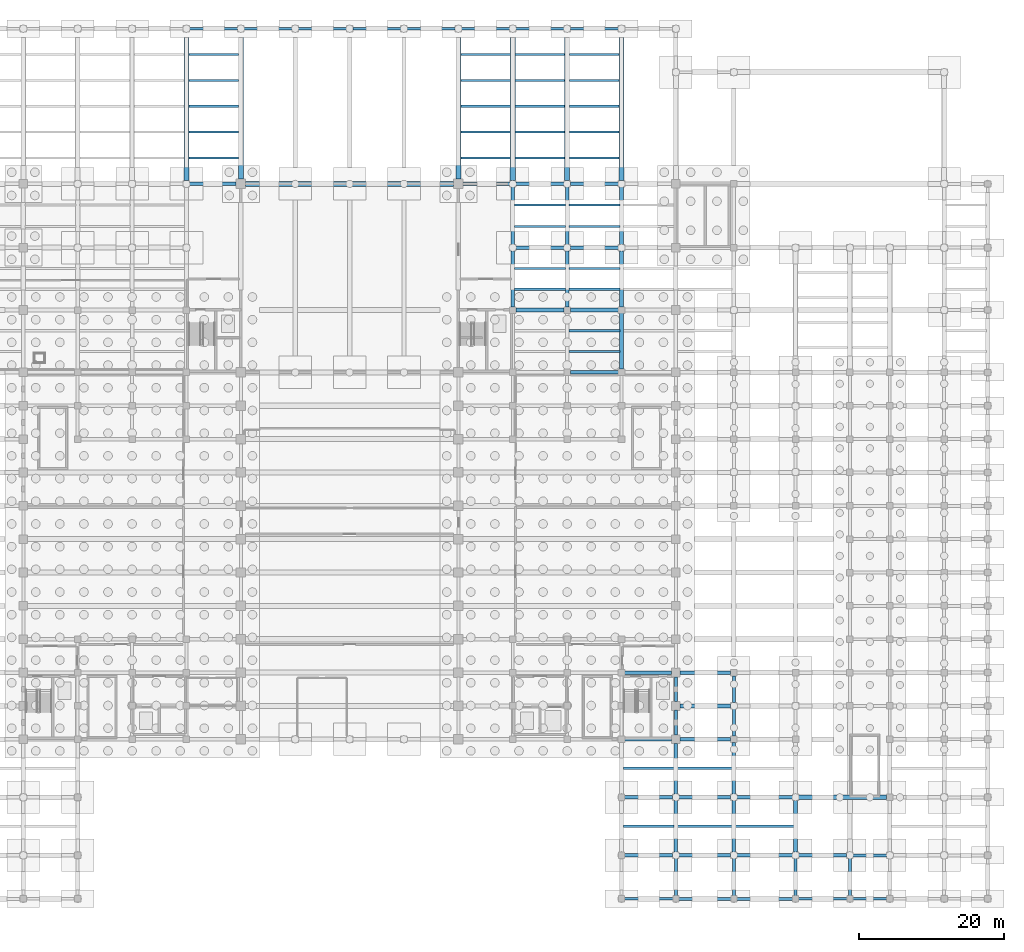
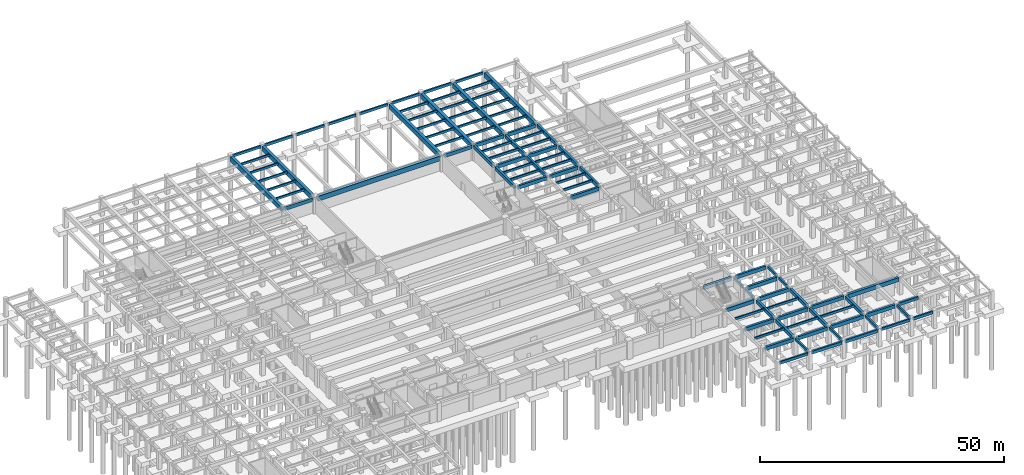
# One storey, part 17 of 32: 98 beams.
"""IFC4 building model written with IfcOpenShell, lengths in metres."""

from ifc_helpers import new_model, si_unit, direction, frame, origin, origin_2d, place, context, subcontext, project, spatial, rectangle, extrude, material, material_profile, profile_set, type_object, element, save


model = new_model("IFC4")

# Units and contexts
model_context = context("Model", 3, precision=1e-05, world=origin(), true_north=direction((0.0, 1.0)))
body_context = subcontext(model_context, "Body", "Model", "MODEL_VIEW")
ifc_project = project(units=[si_unit("LENGTHUNIT", "METRE"), si_unit("AREAUNIT", "SQUARE_METRE"), si_unit("VOLUMEUNIT", "CUBIC_METRE"), si_unit("PLANEANGLEUNIT", "RADIAN"), si_unit("MASSUNIT", "GRAM", prefix="KILO")], contexts=[model_context])

# Site, building, storey
site_placement = place(None, origin())
site = spatial("IfcSite", under=ifc_project, at=site_placement, CompositionType="ELEMENT")
building_placement = place(site_placement, origin())
building = spatial("IfcBuilding", under=site, at=building_placement, Name="Muzn Square Opera House", CompositionType="ELEMENT")
storey_placement = place(building_placement, frame((0.0, 0.0, -4.199951171875)))
storey = spatial("IfcBuildingStorey", under=building, at=storey_placement, Name="B1", CompositionType="ELEMENT", Elevation=-4.199951171875)

# Beams
ifc_material = material(Name="Concrete C40/50", Category="concrete")
ifc_material_profile_1 = material_profile(ifc_material, rectangle(XDim=0.300048828125, YDim=0.550048828125, at=origin_2d()), Name="RCJ 300x550", Category="concrete")
ifc_profile_set_1 = profile_set([ifc_material_profile_1], Name="Concrete C40/50")
beam_type_1 = type_object("IfcBeamType", Name="Floor Joist 300x550", PredefinedType="JOIST", material=ifc_profile_set_1)
for number, where, z_axis, x_axis, name in (
    (1, (65.842041015625, 102.166748046875, 3.56494140625), (1.0, 0.0, 0.0), (0.0, 1.0, 0.0), "Floor Joist BM-B1-BM-J550-658_1022_727_1022-654"),
    (2, (65.842041015625, 105.7333984375, 3.56494140625), (1.0, 0.0, 0.0), (0.0, 1.0, 0.0), "Floor Joist BM-B1-BM-J550-658_1057_727_1057-655"),
    (3, (65.842041015625, 109.300048828125, 3.56494140625), (1.0, 0.0, 0.0), (0.0, 1.0, 0.0), "Floor Joist BM-B1-BM-J550-658_1093_727_1093-656"),
    (4, (65.842041015625, 112.86669921875, 3.56494140625), (1.0, 0.0, 0.0), (0.0, 1.0, 0.0), "Floor Joist BM-B1-BM-J550-658_1129_727_1129-657"),
    (5, (65.842041015625, 116.433349609375, 3.56494140625), (1.0, 0.0, 0.0), (0.0, 1.0, 0.0), "Floor Joist BM-B1-BM-J550-658_1164_727_1164-658"),
    (6, (103.342041015625, 102.166748046875, 3.56494140625), (1.0, 0.0, 0.0), (0.0, 1.0, 0.0), "Floor Joist BM-B1-BM-J550-1033_1022_1102_1022-659"),
    (7, (103.342041015625, 105.7333984375, 3.56494140625), (1.0, 0.0, 0.0), (0.0, 1.0, 0.0), "Floor Joist BM-B1-BM-J550-1033_1057_1102_1057-660"),
    (8, (103.342041015625, 109.300048828125, 3.56494140625), (1.0, 0.0, 0.0), (0.0, 1.0, 0.0), "Floor Joist BM-B1-BM-J550-1033_1093_1102_1093-661"),
    (9, (103.342041015625, 112.86669921875, 3.56494140625), (1.0, 0.0, 0.0), (0.0, 1.0, 0.0), "Floor Joist BM-B1-BM-J550-1033_1129_1102_1129-662"),
    (10, (103.342041015625, 116.433349609375, 3.56494140625), (1.0, 0.0, 0.0), (0.0, 1.0, 0.0), "Floor Joist BM-B1-BM-J550-1033_1164_1102_1164-663"),
):
    element("IfcBeam", number, at=place(storey_placement, frame(where, z_axis=z_axis, x_axis=x_axis)), inside=storey, type_object=beam_type_1, Name=name, PredefinedType="JOIST", context=body_context, shape_type="SweptSolid", body=[
        extrude(rectangle(XDim=0.300048828125, YDim=0.550048828125, at=origin_2d()), origin(), (0.0, 0.0, 1.0), 6.81591796875),
    ])
for number, where, z_axis, x_axis, name in (
    (11, (110.741943359375, 84.066650390625, 3.60498046875), (1.0, 0.0, 0.0), (0.0, 1.0, 0.0), "Floor Joist BM-B1-BM-J550-1107_841_1178_841-666"),
    (12, (110.741943359375, 86.933349609375, 3.60498046875), (1.0, 0.0, 0.0), (0.0, 1.0, 0.0), "Floor Joist BM-B1-BM-J550-1107_869_1178_869-667"),
    (13, (110.741943359375, 92.7333984375, 3.60498046875), (1.0, 0.0, 0.0), (0.0, 1.0, 0.0), "Floor Joist BM-B1-BM-J550-1107_927_1178_927-668"),
    (14, (110.741943359375, 95.666748046875, 3.60498046875), (1.0, 0.0, 0.0), (0.0, 1.0, 0.0), "Floor Joist BM-B1-BM-J550-1107_957_1178_957-669"),
):
    element("IfcBeam", number, at=place(storey_placement, frame(where, z_axis=z_axis, x_axis=x_axis)), inside=storey, type_object=beam_type_1, Name=name, PredefinedType="JOIST", context=body_context, shape_type="SweptSolid", body=[
        extrude(rectangle(XDim=0.300048828125, YDim=0.550048828125, at=origin_2d()), origin(), (0.0, 0.0, 1.0), 7.01611328125),
    ])
for number, where, z_axis, x_axis, name in (
    (15, (110.842041015625, 102.166748046875, 3.56494140625), (1.0, 0.0, 0.0), (0.0, 1.0, 0.0), "Floor Joist BM-B1-BM-J550-1108_1022_1177_1022-670"),
    (16, (110.842041015625, 105.7333984375, 3.56494140625), (1.0, 0.0, 0.0), (0.0, 1.0, 0.0), "Floor Joist BM-B1-BM-J550-1108_1057_1177_1057-671"),
    (17, (110.842041015625, 109.300048828125, 3.56494140625), (1.0, 0.0, 0.0), (0.0, 1.0, 0.0), "Floor Joist BM-B1-BM-J550-1108_1093_1177_1093-672"),
    (18, (110.842041015625, 112.86669921875, 3.56494140625), (1.0, 0.0, 0.0), (0.0, 1.0, 0.0), "Floor Joist BM-B1-BM-J550-1108_1129_1177_1129-673"),
    (19, (110.842041015625, 116.433349609375, 3.56494140625), (1.0, 0.0, 0.0), (0.0, 1.0, 0.0), "Floor Joist BM-B1-BM-J550-1108_1164_1177_1164-674"),
):
    element("IfcBeam", number, at=place(storey_placement, frame(where, z_axis=z_axis, x_axis=x_axis)), inside=storey, type_object=beam_type_1, Name=name, PredefinedType="JOIST", context=body_context, shape_type="SweptSolid", body=[
        extrude(rectangle(XDim=0.300048828125, YDim=0.550048828125, at=origin_2d()), origin(), (0.0, 0.0, 1.0), 6.81591796875),
    ])
for number, where, z_axis, x_axis, name in (
    (20, (118.241943359375, 75.466796875, 3.60498046875), (1.0, 0.0, 0.0), (0.0, 1.0, 0.0), "Floor Joist BM-B1-BM-J550-1182_755_1253_755-675"),
    (21, (118.241943359375, 78.333251953125, 3.60498046875), (1.0, 0.0, 0.0), (0.0, 1.0, 0.0), "Floor Joist BM-B1-BM-J550-1182_783_1253_783-676"),
    (22, (118.241943359375, 84.066650390625, 3.60498046875), (1.0, 0.0, 0.0), (0.0, 1.0, 0.0), "Floor Joist BM-B1-BM-J550-1182_841_1253_841-677"),
    (23, (118.241943359375, 86.933349609375, 3.60498046875), (1.0, 0.0, 0.0), (0.0, 1.0, 0.0), "Floor Joist BM-B1-BM-J550-1182_869_1253_869-678"),
    (24, (118.241943359375, 92.7333984375, 3.60498046875), (1.0, 0.0, 0.0), (0.0, 1.0, 0.0), "Floor Joist BM-B1-BM-J550-1182_927_1253_927-679"),
    (25, (118.241943359375, 95.666748046875, 3.60498046875), (1.0, 0.0, 0.0), (0.0, 1.0, 0.0), "Floor Joist BM-B1-BM-J550-1182_957_1253_957-680"),
):
    element("IfcBeam", number, at=place(storey_placement, frame(where, z_axis=z_axis, x_axis=x_axis)), inside=storey, type_object=beam_type_1, Name=name, PredefinedType="JOIST", context=body_context, shape_type="SweptSolid", body=[
        extrude(rectangle(XDim=0.300048828125, YDim=0.550048828125, at=origin_2d()), origin(), (0.0, 0.0, 1.0), 7.01611328125),
    ])
for number, where, z_axis, x_axis, name in (
    (26, (118.342041015625, 102.166748046875, 3.56494140625), (1.0, 0.0, 0.0), (0.0, 1.0, 0.0), "Floor Joist BM-B1-BM-J550-1183_1022_1252_1022-681"),
    (27, (118.342041015625, 105.7333984375, 3.56494140625), (1.0, 0.0, 0.0), (0.0, 1.0, 0.0), "Floor Joist BM-B1-BM-J550-1183_1057_1252_1057-682"),
    (28, (118.342041015625, 109.300048828125, 3.56494140625), (1.0, 0.0, 0.0), (0.0, 1.0, 0.0), "Floor Joist BM-B1-BM-J550-1183_1093_1252_1093-683"),
    (29, (118.342041015625, 112.86669921875, 3.56494140625), (1.0, 0.0, 0.0), (0.0, 1.0, 0.0), "Floor Joist BM-B1-BM-J550-1183_1129_1252_1129-684"),
    (30, (118.342041015625, 116.433349609375, 3.56494140625), (1.0, 0.0, 0.0), (0.0, 1.0, 0.0), "Floor Joist BM-B1-BM-J550-1183_1164_1252_1164-685"),
):
    element("IfcBeam", number, at=place(storey_placement, frame(where, z_axis=z_axis, x_axis=x_axis)), inside=storey, type_object=beam_type_1, Name=name, PredefinedType="JOIST", context=body_context, shape_type="SweptSolid", body=[
        extrude(rectangle(XDim=0.300048828125, YDim=0.550048828125, at=origin_2d()), origin(), (0.0, 0.0, 1.0), 6.81591796875),
    ])
for number, where, z_axis, x_axis, name in (
    (31, (125.741943359375, 10.0, 3.6650390625), (1.0, 0.0, 0.0), (0.0, 1.0, 0.0), "Floor Joist BM-B1-BM-J550-1257_100_1328_100-686"),
    (32, (125.741943359375, 18.0, 3.6650390625), (1.0, 0.0, 0.0), (0.0, 1.0, 0.0), "Floor Joist BM-B1-BM-J550-1257_180_1328_180-687"),
):
    element("IfcBeam", number, at=place(storey_placement, frame(where, z_axis=z_axis, x_axis=x_axis)), inside=storey, type_object=beam_type_1, Name=name, PredefinedType="JOIST", context=body_context, shape_type="SweptSolid", body=[
        extrude(rectangle(XDim=0.300048828125, YDim=0.550048828125, at=origin_2d()), origin(), (0.0, 0.0, 1.0), 7.01611328125),
    ])
for number, where, z_axis, x_axis, name in (
    (33, (133.241943359375, 10.0, 3.60498046875), (1.0, 0.0, 0.0), (0.0, 1.0, 0.0), "Floor Joist BM-B1-BM-J550-1332_100_1408_100-694"),
    (34, (133.241943359375, 18.0, 3.60498046875), (1.0, 0.0, 0.0), (0.0, 1.0, 0.0), "Floor Joist BM-B1-BM-J550-1332_180_1408_180-695"),
):
    element("IfcBeam", number, at=place(storey_placement, frame(where, z_axis=z_axis, x_axis=x_axis)), inside=storey, type_object=beam_type_1, Name=name, PredefinedType="JOIST", context=body_context, shape_type="SweptSolid", body=[
        extrude(rectangle(XDim=0.300048828125, YDim=0.550048828125, at=origin_2d()), origin(), (0.0, 0.0, 1.0), 7.51611328125),
    ])
beam_1_placement = place(storey_placement, frame((141.241943359375, 10.0, 3.60498046875), z_axis=(1.0, 0.0, 0.0), x_axis=(0.0, 1.0, 0.0)))
element("IfcBeam", 35, at=beam_1_placement, inside=storey, type_object=beam_type_1, Name="Floor Joist BM-B1-BM-J550-1412_100_1493_100-700", PredefinedType="JOIST", context=body_context, shape_type="SweptSolid", body=[
    extrude(rectangle(XDim=0.300048828125, YDim=0.550048828125, at=origin_2d()), origin(), (0.0, 0.0, 1.0), 8.01611328125),
])
ifc_material_profile_2 = material_profile(ifc_material, rectangle(XDim=0.39990234375, YDim=0.699951171875, at=origin_2d()), Name="RCB 400x700", Category="concrete")
ifc_profile_set_2 = profile_set([ifc_material_profile_2], Name="Concrete C40/50")
beam_type_2 = type_object("IfcBeamType", Name="Primary Girder 400x700", PredefinedType="BEAM", material=ifc_profile_set_2)
beam_2_placement = place(storey_placement, frame((157.44189453125, 6.0, 3.530029296875), z_axis=(1.0, 0.0, 0.0), x_axis=(0.0, 1.0, 0.0)))
element("IfcBeam", 36, at=beam_2_placement, inside=storey, type_object=beam_type_2, Name="Primary Girder BM-B1-BM-PG700-1574_60_1621_60-26", PredefinedType="BEAM", context=body_context, shape_type="SweptSolid", body=[
    extrude(rectangle(XDim=0.39990234375, YDim=0.699951171875, at=origin_2d()), origin(), (0.0, 0.0, 1.0), 4.6162109375),
])
beam_3_placement = place(storey_placement, frame((133.0, 0.4169921875, 3.58984375), z_axis=(0.0, 1.0, 0.0), x_axis=(-1.0, 0.0, 0.0)))
element("IfcBeam", 37, at=beam_3_placement, inside=storey, type_object=beam_type_2, Name="Primary Girder BM-B1-BM-PG700-1330_4_1330_56-478", PredefinedType="BEAM", context=body_context, shape_type="SweptSolid", body=[
    extrude(rectangle(XDim=0.39990234375, YDim=0.699951171875, at=origin_2d()), origin(), (0.0, 0.0, 1.0), 5.14111328125),
])
for number, where, z_axis, x_axis, name in (
    (38, (133.0, 22.592041015625, 3.530029296875), (0.0, 1.0, 0.0), (-1.0, 0.0, 0.0), "Primary Girder BM-B1-BM-PG700-1330_226_1330_260-481"),
    (39, (133.0, 27.19189453125, 3.530029296875), (0.0, 1.0, 0.0), (-1.0, 0.0, 0.0), "Primary Girder BM-B1-BM-PG700-1330_272_1330_306-482"),
):
    element("IfcBeam", number, at=place(storey_placement, frame(where, z_axis=z_axis, x_axis=x_axis)), inside=storey, type_object=beam_type_2, Name=name, PredefinedType="BEAM", context=body_context, shape_type="SweptSolid", body=[
        extrude(rectangle(XDim=0.39990234375, YDim=0.699951171875, at=origin_2d()), origin(), (0.0, 0.0, 1.0), 3.416015625),
    ])
beam_4_placement = place(storey_placement, frame((141.0, 0.4169921875, 3.58984375), z_axis=(0.0, 1.0, 0.0), x_axis=(-1.0, 0.0, 0.0)))
element("IfcBeam", 40, at=beam_4_placement, inside=storey, type_object=beam_type_2, Name="Primary Girder BM-B1-BM-PG700-1410_4_1410_56-495", PredefinedType="BEAM", context=body_context, shape_type="SweptSolid", body=[
    extrude(rectangle(XDim=0.39990234375, YDim=0.699951171875, at=origin_2d()), origin(), (0.0, 0.0, 1.0), 5.14111328125),
])
for number, where, z_axis, x_axis, name in (
    (41, (141.0, 22.44189453125, 3.530029296875), (0.0, 1.0, 0.0), (-1.0, 0.0, 0.0), "Primary Girder BM-B1-BM-PG700-1410_224_1410_262-498"),
    (42, (141.0, 27.0419921875, 3.530029296875), (0.0, 1.0, 0.0), (-1.0, 0.0, 0.0), "Primary Girder BM-B1-BM-PG700-1410_270_1410_308-499"),
):
    element("IfcBeam", number, at=place(storey_placement, frame(where, z_axis=z_axis, x_axis=x_axis)), inside=storey, type_object=beam_type_2, Name=name, PredefinedType="BEAM", context=body_context, shape_type="SweptSolid", body=[
        extrude(rectangle(XDim=0.39990234375, YDim=0.699951171875, at=origin_2d()), origin(), (0.0, 0.0, 1.0), 3.716064453125),
    ])
for number, where, z_axis, x_axis, name in (
    (43, (149.5, 0.4169921875, 3.58984375), (0.0, 1.0, 0.0), (-1.0, 0.0, 0.0), "Primary Girder BM-B1-BM-PG700-1495_4_1495_56-507"),
    (44, (157.0, 0.4169921875, 3.58984375), (0.0, 1.0, 0.0), (-1.0, 0.0, 0.0), "Primary Girder BM-B1-BM-PG700-1570_4_1570_56-517"),
):
    element("IfcBeam", number, at=place(storey_placement, frame(where, z_axis=z_axis, x_axis=x_axis)), inside=storey, type_object=beam_type_2, Name=name, PredefinedType="BEAM", context=body_context, shape_type="SweptSolid", body=[
        extrude(rectangle(XDim=0.39990234375, YDim=0.699951171875, at=origin_2d()), origin(), (0.0, 0.0, 1.0), 5.14111328125),
    ])
ifc_material_profile_3 = material_profile(ifc_material, rectangle(XDim=0.5, YDim=0.89990234375, at=origin_2d()), Name="RCB 500x900", Category="concrete")
ifc_profile_set_3 = profile_set([ifc_material_profile_3], Name="Concrete C40/50")
beam_type_3 = type_object("IfcBeamType", Name="Primary Girder 500x900", PredefinedType="BEAM", material=ifc_profile_set_3)
beam_5_placement = place(storey_placement, frame((125.9169921875, 6.0, 3.489990234375), z_axis=(1.0, 0.0, 0.0), x_axis=(0.0, 1.0, 0.0)))
element("IfcBeam", 45, at=beam_5_placement, inside=storey, type_object=beam_type_3, Name="Primary Girder BM-B1-BM-PG900-1259_60_1326_60-22", PredefinedType="BEAM", context=body_context, shape_type="SweptSolid", body=[
    extrude(rectangle(XDim=0.5, YDim=0.89990234375, at=origin_2d()), origin(), (0.0, 0.0, 1.0), 6.64111328125),
])
beam_6_placement = place(storey_placement, frame((133.44189453125, 6.0, 3.429931640625), z_axis=(1.0, 0.0, 0.0), x_axis=(0.0, 1.0, 0.0)))
element("IfcBeam", 46, at=beam_6_placement, inside=storey, type_object=beam_type_3, Name="Primary Girder BM-B1-BM-PG900-1334_60_1406_60-23", PredefinedType="BEAM", context=body_context, shape_type="SweptSolid", body=[
    extrude(rectangle(XDim=0.5, YDim=0.89990234375, at=origin_2d()), origin(), (0.0, 0.0, 1.0), 7.1162109375),
])
beam_7_placement = place(storey_placement, frame((141.44189453125, 6.0, 3.429931640625), z_axis=(1.0, 0.0, 0.0), x_axis=(0.0, 1.0, 0.0)))
element("IfcBeam", 47, at=beam_7_placement, inside=storey, type_object=beam_type_3, Name="Primary Girder BM-B1-BM-PG900-1414_60_1491_60-24", PredefinedType="BEAM", context=body_context, shape_type="SweptSolid", body=[
    extrude(rectangle(XDim=0.5, YDim=0.89990234375, at=origin_2d()), origin(), (0.0, 0.0, 1.0), 7.6162109375),
])
beam_8_placement = place(storey_placement, frame((149.94189453125, 6.0, 3.429931640625), z_axis=(1.0, 0.0, 0.0), x_axis=(0.0, 1.0, 0.0)))
element("IfcBeam", 48, at=beam_8_placement, inside=storey, type_object=beam_type_3, Name="Primary Girder BM-B1-BM-PG900-1499_60_1566_60-25", PredefinedType="BEAM", context=body_context, shape_type="SweptSolid", body=[
    extrude(rectangle(XDim=0.5, YDim=0.89990234375, at=origin_2d()), origin(), (0.0, 0.0, 1.0), 6.6162109375),
])
beam_9_placement = place(storey_placement, frame((125.9169921875, 14.0, 3.489990234375), z_axis=(1.0, 0.0, 0.0), x_axis=(0.0, 1.0, 0.0)))
element("IfcBeam", 49, at=beam_9_placement, inside=storey, type_object=beam_type_3, Name="Primary Girder BM-B1-BM-PG900-1259_140_1326_140-35", PredefinedType="BEAM", context=body_context, shape_type="SweptSolid", body=[
    extrude(rectangle(XDim=0.5, YDim=0.89990234375, at=origin_2d()), origin(), (0.0, 0.0, 1.0), 6.64111328125),
])
beam_10_placement = place(storey_placement, frame((133.44189453125, 14.0, 3.429931640625), z_axis=(1.0, 0.0, 0.0), x_axis=(0.0, 1.0, 0.0)))
element("IfcBeam", 50, at=beam_10_placement, inside=storey, type_object=beam_type_3, Name="Primary Girder BM-B1-BM-PG900-1334_140_1406_140-36", PredefinedType="BEAM", context=body_context, shape_type="SweptSolid", body=[
    extrude(rectangle(XDim=0.5, YDim=0.89990234375, at=origin_2d()), origin(), (0.0, 0.0, 1.0), 7.1162109375),
])
beam_11_placement = place(storey_placement, frame((141.44189453125, 14.0, 3.429931640625), z_axis=(1.0, 0.0, 0.0), x_axis=(0.0, 1.0, 0.0)))
element("IfcBeam", 51, at=beam_11_placement, inside=storey, type_object=beam_type_3, Name="Primary Girder BM-B1-BM-PG900-1414_140_1491_140-37", PredefinedType="BEAM", context=body_context, shape_type="SweptSolid", body=[
    extrude(rectangle(XDim=0.5, YDim=0.89990234375, at=origin_2d()), origin(), (0.0, 0.0, 1.0), 7.6162109375),
])
beam_12_placement = place(storey_placement, frame((125.94189453125, 22.0, 3.429931640625), z_axis=(1.0, 0.0, 0.0), x_axis=(0.0, 1.0, 0.0)))
element("IfcBeam", 52, at=beam_12_placement, inside=storey, type_object=beam_type_3, Name="Primary Girder BM-B1-BM-PG900-1259_220_1324_220-56", PredefinedType="BEAM", context=body_context, shape_type="SweptSolid", body=[
    extrude(rectangle(XDim=0.5, YDim=0.89990234375, at=origin_2d()), origin(), (0.0, 0.0, 1.0), 6.466064453125),
])
for number, where, z_axis, x_axis, name in (
    (53, (133.592041015625, 22.0, 3.429931640625), (1.0, 0.0, 0.0), (0.0, 1.0, 0.0), "Primary Girder BM-B1-BM-PG900-1336_220_1406_220-57"),
    (54, (133.592041015625, 26.60009765625, 3.429931640625), (1.0, 0.0, 0.0), (0.0, 1.0, 0.0), "Primary Girder BM-B1-BM-PG900-1336_266_1406_266-72"),
):
    element("IfcBeam", number, at=place(storey_placement, frame(where, z_axis=z_axis, x_axis=x_axis)), inside=storey, type_object=beam_type_3, Name=name, PredefinedType="BEAM", context=body_context, shape_type="SweptSolid", body=[
        extrude(rectangle(XDim=0.5, YDim=0.89990234375, at=origin_2d()), origin(), (0.0, 0.0, 1.0), 6.966064453125),
    ])
beam_13_placement = place(storey_placement, frame((125.94189453125, 31.199951171875, 3.429931640625), z_axis=(1.0, 0.0, 0.0), x_axis=(0.0, 1.0, 0.0)))
element("IfcBeam", 55, at=beam_13_placement, inside=storey, type_object=beam_type_3, Name="Primary Girder BM-B1-BM-PG900-1259_312_1324_312-92", PredefinedType="BEAM", context=body_context, shape_type="SweptSolid", body=[
    extrude(rectangle(XDim=0.5, YDim=0.89990234375, at=origin_2d()), origin(), (0.0, 0.0, 1.0), 6.466064453125),
])
beam_14_placement = place(storey_placement, frame((133.592041015625, 31.199951171875, 3.429931640625), z_axis=(1.0, 0.0, 0.0), x_axis=(0.0, 1.0, 0.0)))
element("IfcBeam", 56, at=beam_14_placement, inside=storey, type_object=beam_type_3, Name="Primary Girder BM-B1-BM-PG900-1336_312_1406_312-93", PredefinedType="BEAM", context=body_context, shape_type="SweptSolid", body=[
    extrude(rectangle(XDim=0.5, YDim=0.89990234375, at=origin_2d()), origin(), (0.0, 0.0, 1.0), 6.966064453125),
])
for number, where, z_axis, x_axis, name in (
    (57, (118.44189453125, 72.60009765625, 3.429931640625), (1.0, 0.0, 0.0), (0.0, 1.0, 0.0), "Primary Girder BM-B1-BM-PG900-1184_726_1251_726-221"),
    (58, (110.94189453125, 81.199951171875, 3.429931640625), (1.0, 0.0, 0.0), (0.0, 1.0, 0.0), "Primary Girder BM-B1-BM-PG900-1109_812_1176_812-236"),
    (59, (118.44189453125, 81.199951171875, 3.429931640625), (1.0, 0.0, 0.0), (0.0, 1.0, 0.0), "Primary Girder BM-B1-BM-PG900-1184_812_1251_812-237"),
    (60, (110.94189453125, 89.800048828125, 3.429931640625), (1.0, 0.0, 0.0), (0.0, 1.0, 0.0), "Primary Girder BM-B1-BM-PG900-1109_898_1176_898-249"),
    (61, (118.44189453125, 89.800048828125, 3.429931640625), (1.0, 0.0, 0.0), (0.0, 1.0, 0.0), "Primary Girder BM-B1-BM-PG900-1184_898_1251_898-250"),
):
    element("IfcBeam", number, at=place(storey_placement, frame(where, z_axis=z_axis, x_axis=x_axis)), inside=storey, type_object=beam_type_3, Name=name, PredefinedType="BEAM", context=body_context, shape_type="SweptSolid", body=[
        extrude(rectangle(XDim=0.5, YDim=0.89990234375, at=origin_2d()), origin(), (0.0, 0.0, 1.0), 6.6162109375),
    ])
for number, where, z_axis, x_axis, name in (
    (62, (65.94189453125, 98.60009765625, 3.389892578125), (1.0, 0.0, 0.0), (0.0, 1.0, 0.0), "Primary Girder BM-B1-BM-PG900-659_986_724_986-265"),
    (63, (103.64208984375, 98.60009765625, 3.389892578125), (1.0, 0.0, 0.0), (0.0, 1.0, 0.0), "Primary Girder BM-B1-BM-PG900-1036_986_1101_986-267"),
):
    element("IfcBeam", number, at=place(storey_placement, frame(where, z_axis=z_axis, x_axis=x_axis)), inside=storey, type_object=beam_type_3, Name=name, PredefinedType="BEAM", context=body_context, shape_type="SweptSolid", body=[
        extrude(rectangle(XDim=0.5, YDim=0.89990234375, at=origin_2d()), origin(), (0.0, 0.0, 1.0), 6.416015625),
    ])
for number, where, z_axis, x_axis, name in (
    (64, (110.94189453125, 98.60009765625, 3.389892578125), (1.0, 0.0, 0.0), (0.0, 1.0, 0.0), "Primary Girder BM-B1-BM-PG900-1109_986_1176_986-268"),
    (65, (118.44189453125, 98.60009765625, 3.389892578125), (1.0, 0.0, 0.0), (0.0, 1.0, 0.0), "Primary Girder BM-B1-BM-PG900-1184_986_1251_986-269"),
):
    element("IfcBeam", number, at=place(storey_placement, frame(where, z_axis=z_axis, x_axis=x_axis)), inside=storey, type_object=beam_type_3, Name=name, PredefinedType="BEAM", context=body_context, shape_type="SweptSolid", body=[
        extrude(rectangle(XDim=0.5, YDim=0.89990234375, at=origin_2d()), origin(), (0.0, 0.0, 1.0), 6.6162109375),
    ])
beam_15_placement = place(storey_placement, frame((110.5, 81.64208984375, 3.429931640625), z_axis=(0.0, 1.0, 0.0), x_axis=(-1.0, 0.0, 0.0)))
element("IfcBeam", 66, at=beam_15_placement, inside=storey, type_object=beam_type_3, Name="Primary Girder BM-B1-BM-PG900-1105_816_1105_894-454", PredefinedType="BEAM", context=body_context, shape_type="SweptSolid", body=[
    extrude(rectangle(XDim=0.5, YDim=0.89990234375, at=origin_2d()), origin(), (0.0, 0.0, 1.0), 7.7158203125),
])
beam_16_placement = place(storey_placement, frame((110.5, 90.241943359375, 3.429931640625), z_axis=(0.0, 1.0, 0.0), x_axis=(-1.0, 0.0, 0.0)))
element("IfcBeam", 67, at=beam_16_placement, inside=storey, type_object=beam_type_3, Name="Primary Girder BM-B1-BM-PG900-1105_902_1105_982-455", PredefinedType="BEAM", context=body_context, shape_type="SweptSolid", body=[
    extrude(rectangle(XDim=0.5, YDim=0.89990234375, at=origin_2d()), origin(), (0.0, 0.0, 1.0), 7.916015625),
])
beam_17_placement = place(storey_placement, frame((118.0, 81.64208984375, 3.429931640625), z_axis=(0.0, 1.0, 0.0), x_axis=(-1.0, 0.0, 0.0)))
element("IfcBeam", 68, at=beam_17_placement, inside=storey, type_object=beam_type_3, Name="Primary Girder BM-B1-BM-PG900-1180_816_1180_894-463", PredefinedType="BEAM", context=body_context, shape_type="SweptSolid", body=[
    extrude(rectangle(XDim=0.5, YDim=0.89990234375, at=origin_2d()), origin(), (0.0, 0.0, 1.0), 7.7158203125),
])
beam_18_placement = place(storey_placement, frame((118.0, 90.241943359375, 3.429931640625), z_axis=(0.0, 1.0, 0.0), x_axis=(-1.0, 0.0, 0.0)))
element("IfcBeam", 69, at=beam_18_placement, inside=storey, type_object=beam_type_3, Name="Primary Girder BM-B1-BM-PG900-1180_902_1180_982-464", PredefinedType="BEAM", context=body_context, shape_type="SweptSolid", body=[
    extrude(rectangle(XDim=0.5, YDim=0.89990234375, at=origin_2d()), origin(), (0.0, 0.0, 1.0), 7.916015625),
])
beam_19_placement = place(storey_placement, frame((125.5, 73.0419921875, 3.429931640625), z_axis=(0.0, 1.0, 0.0), x_axis=(-1.0, 0.0, 0.0)))
element("IfcBeam", 70, at=beam_19_placement, inside=storey, type_object=beam_type_3, Name="Primary Girder BM-B1-BM-PG900-1255_730_1255_808-474", PredefinedType="BEAM", context=body_context, shape_type="SweptSolid", body=[
    extrude(rectangle(XDim=0.5, YDim=0.89990234375, at=origin_2d()), origin(), (0.0, 0.0, 1.0), 7.716064453125),
])
beam_20_placement = place(storey_placement, frame((125.5, 81.64208984375, 3.429931640625), z_axis=(0.0, 1.0, 0.0), x_axis=(-1.0, 0.0, 0.0)))
element("IfcBeam", 71, at=beam_20_placement, inside=storey, type_object=beam_type_3, Name="Primary Girder BM-B1-BM-PG900-1255_816_1255_894-475", PredefinedType="BEAM", context=body_context, shape_type="SweptSolid", body=[
    extrude(rectangle(XDim=0.5, YDim=0.89990234375, at=origin_2d()), origin(), (0.0, 0.0, 1.0), 7.7158203125),
])
beam_21_placement = place(storey_placement, frame((125.5, 90.241943359375, 3.429931640625), z_axis=(0.0, 1.0, 0.0), x_axis=(-1.0, 0.0, 0.0)))
element("IfcBeam", 72, at=beam_21_placement, inside=storey, type_object=beam_type_3, Name="Primary Girder BM-B1-BM-PG900-1255_902_1255_982-476", PredefinedType="BEAM", context=body_context, shape_type="SweptSolid", body=[
    extrude(rectangle(XDim=0.5, YDim=0.89990234375, at=origin_2d()), origin(), (0.0, 0.0, 1.0), 7.916015625),
])
beam_22_placement = place(storey_placement, frame((133.0, 6.44189453125, 3.429931640625), z_axis=(0.0, 1.0, 0.0), x_axis=(-1.0, 0.0, 0.0)))
element("IfcBeam", 73, at=beam_22_placement, inside=storey, type_object=beam_type_3, Name="Primary Girder BM-B1-BM-PG900-1330_64_1330_136-479", PredefinedType="BEAM", context=body_context, shape_type="SweptSolid", body=[
    extrude(rectangle(XDim=0.5, YDim=0.89990234375, at=origin_2d()), origin(), (0.0, 0.0, 1.0), 7.1162109375),
])
beam_23_placement = place(storey_placement, frame((133.0, 14.44189453125, 3.429931640625), z_axis=(0.0, 1.0, 0.0), x_axis=(-1.0, 0.0, 0.0)))
element("IfcBeam", 74, at=beam_23_placement, inside=storey, type_object=beam_type_3, Name="Primary Girder BM-B1-BM-PG900-1330_144_1330_214-480", PredefinedType="BEAM", context=body_context, shape_type="SweptSolid", body=[
    extrude(rectangle(XDim=0.5, YDim=0.89990234375, at=origin_2d()), origin(), (0.0, 0.0, 1.0), 6.966064453125),
])
for number, where, z_axis, x_axis, name in (
    (75, (141.0, 6.44189453125, 3.429931640625), (0.0, 1.0, 0.0), (-1.0, 0.0, 0.0), "Primary Girder BM-B1-BM-PG900-1410_64_1410_136-496"),
    (76, (141.0, 14.44189453125, 3.429931640625), (0.0, 1.0, 0.0), (-1.0, 0.0, 0.0), "Primary Girder BM-B1-BM-PG900-1410_144_1410_216-497"),
    (77, (149.5, 6.44189453125, 3.429931640625), (0.0, 1.0, 0.0), (-1.0, 0.0, 0.0), "Primary Girder BM-B1-BM-PG900-1495_64_1495_136-508"),
):
    element("IfcBeam", number, at=place(storey_placement, frame(where, z_axis=z_axis, x_axis=x_axis)), inside=storey, type_object=beam_type_3, Name=name, PredefinedType="BEAM", context=body_context, shape_type="SweptSolid", body=[
        extrude(rectangle(XDim=0.5, YDim=0.89990234375, at=origin_2d()), origin(), (0.0, 0.0, 1.0), 7.1162109375),
    ])
ifc_material_profile_4 = material_profile(ifc_material, rectangle(XDim=0.60009765625, YDim=1.0, at=origin_2d()), Name="RCB 600x1000", Category="concrete")
ifc_profile_set_4 = profile_set([ifc_material_profile_4], Name="Concrete C40/50")
beam_type_4 = type_object("IfcBeamType", Name="Primary Girder 600x1000", PredefinedType="BEAM", material=ifc_profile_set_4)
beam_24_placement = place(storey_placement, frame((149.94189453125, 14.0, 3.3798828125), z_axis=(1.0, 0.0, 0.0), x_axis=(0.0, 1.0, 0.0)))
element("IfcBeam", 78, at=beam_24_placement, inside=storey, type_object=beam_type_4, Name="Primary Girder BM-B1-BM-PG1000-1499_140_1621_140-38", PredefinedType="BEAM", context=body_context, shape_type="SweptSolid", body=[
    extrude(rectangle(XDim=0.60009765625, YDim=1.0, at=origin_2d()), origin(), (0.0, 0.0, 1.0), 12.1162109375),
])
ifc_material_profile_5 = material_profile(ifc_material, rectangle(XDim=0.699951171875, YDim=1.199951171875, at=origin_2d()), Name="RCB 700x1200", Category="concrete")
ifc_profile_set_5 = profile_set([ifc_material_profile_5], Name="Concrete C40/50")
beam_type_5 = type_object("IfcBeamType", Name="Primary Girder 700x1200", PredefinedType="BEAM", material=ifc_profile_set_5)
beam_25_placement = place(storey_placement, frame((73.64208984375, 98.60009765625, 3.239990234375), z_axis=(1.0, 0.0, 0.0), x_axis=(0.0, 1.0, 0.0)))
element("IfcBeam", 79, at=beam_25_placement, inside=storey, type_object=beam_type_5, Name="Primary Girder BM-B1-BM-PG1200-736_986_1024_986-266", PredefinedType="BEAM", context=body_context, shape_type="SweptSolid", body=[
    extrude(rectangle(XDim=0.699951171875, YDim=1.199951171875, at=origin_2d()), origin(), (0.0, 0.0, 1.0), 28.7158203125),
])
beam_26_placement = place(storey_placement, frame((65.5, 99.0419921875, 3.239990234375), z_axis=(0.0, 1.0, 0.0), x_axis=(-1.0, 0.0, 0.0)))
element("IfcBeam", 80, at=beam_26_placement, inside=storey, type_object=beam_type_5, Name="Primary Girder BM-B1-BM-PG1200-655_990_655_1196-423", PredefinedType="BEAM", context=body_context, shape_type="SweptSolid", body=[
    extrude(rectangle(XDim=0.699951171875, YDim=1.199951171875, at=origin_2d()), origin(), (0.0, 0.0, 1.0), 20.51611328125),
])
for number, where, z_axis, x_axis, name in (
    (81, (73.0, 99.241943359375, 3.239990234375), (0.0, 1.0, 0.0), (-1.0, 0.0, 0.0), "Primary Girder BM-B1-BM-PG1200-730_992_730_1196-435"),
    (82, (103.0, 99.241943359375, 3.239990234375), (0.0, 1.0, 0.0), (-1.0, 0.0, 0.0), "Primary Girder BM-B1-BM-PG1200-1030_992_1030_1196-447"),
):
    element("IfcBeam", number, at=place(storey_placement, frame(where, z_axis=z_axis, x_axis=x_axis)), inside=storey, type_object=beam_type_5, Name=name, PredefinedType="BEAM", context=body_context, shape_type="SweptSolid", body=[
        extrude(rectangle(XDim=0.699951171875, YDim=1.199951171875, at=origin_2d()), origin(), (0.0, 0.0, 1.0), 20.316162109375),
    ])
for number, where, z_axis, x_axis, name in (
    (83, (110.5, 99.0419921875, 3.239990234375), (0.0, 1.0, 0.0), (-1.0, 0.0, 0.0), "Primary Girder BM-B1-BM-PG1200-1105_990_1105_1196-456"),
    (84, (118.0, 99.0419921875, 3.239990234375), (0.0, 1.0, 0.0), (-1.0, 0.0, 0.0), "Primary Girder BM-B1-BM-PG1200-1180_990_1180_1196-465"),
    (85, (125.5, 99.0419921875, 3.239990234375), (0.0, 1.0, 0.0), (-1.0, 0.0, 0.0), "Primary Girder BM-B1-BM-PG1200-1255_990_1255_1196-477"),
):
    element("IfcBeam", number, at=place(storey_placement, frame(where, z_axis=z_axis, x_axis=x_axis)), inside=storey, type_object=beam_type_5, Name=name, PredefinedType="BEAM", context=body_context, shape_type="SweptSolid", body=[
        extrude(rectangle(XDim=0.699951171875, YDim=1.199951171875, at=origin_2d()), origin(), (0.0, 0.0, 1.0), 20.51611328125),
    ])
ifc_material_profile_6 = material_profile(ifc_material, rectangle(XDim=0.35009765625, YDim=0.64990234375, at=origin_2d()), Name="RCS 350x650", Category="concrete")
ifc_profile_set_6 = profile_set([ifc_material_profile_6], Name="Concrete C40/50")
beam_type_6 = type_object("IfcBeamType", Name="Spandrel Beam 350x650", PredefinedType="SPANDREL", material=ifc_profile_set_6)
for number, where, z_axis, x_axis, name in (
    (86, (125.9169921875, 0.0, 3.554931640625), (1.0, 0.0, 0.0), (0.0, 1.0, 0.0), "Spandrel Beam BM-B1-BM-SP650-1259_0_1326_0-8"),
    (87, (149.9169921875, 0.0, 3.554931640625), (1.0, 0.0, 0.0), (0.0, 1.0, 0.0), "Spandrel Beam BM-B1-BM-SP650-1499_0_1566_0-11"),
):
    element("IfcBeam", number, at=place(storey_placement, frame(where, z_axis=z_axis, x_axis=x_axis)), inside=storey, type_object=beam_type_6, Name=name, PredefinedType="SPANDREL", context=body_context, shape_type="SweptSolid", body=[
        extrude(rectangle(XDim=0.35009765625, YDim=0.64990234375, at=origin_2d()), origin(), (0.0, 0.0, 1.0), 6.666015625),
    ])
beam_27_placement = place(storey_placement, frame((157.4169921875, 0.0, 3.554931640625), z_axis=(1.0, 0.0, 0.0), x_axis=(0.0, 1.0, 0.0)))
element("IfcBeam", 88, at=beam_27_placement, inside=storey, type_object=beam_type_6, Name="Spandrel Beam BM-B1-BM-SP650-1574_0_1621_0-12", PredefinedType="SPANDREL", context=body_context, shape_type="SweptSolid", body=[
    extrude(rectangle(XDim=0.35009765625, YDim=0.64990234375, at=origin_2d()), origin(), (0.0, 0.0, 1.0), 4.666015625),
])
for number, where, z_axis, x_axis, name in (
    (89, (65.94189453125, 120.0, 3.514892578125), (1.0, 0.0, 0.0), (0.0, 1.0, 0.0), "Spandrel Beam BM-B1-BM-SP650-659_1200_726_1200-279"),
    (90, (73.44189453125, 120.0, 3.514892578125), (1.0, 0.0, 0.0), (0.0, 1.0, 0.0), "Spandrel Beam BM-B1-BM-SP650-734_1200_801_1200-280"),
    (91, (80.94189453125, 120.0, 3.514892578125), (1.0, 0.0, 0.0), (0.0, 1.0, 0.0), "Spandrel Beam BM-B1-BM-SP650-809_1200_876_1200-281"),
    (92, (88.44189453125, 120.0, 3.514892578125), (1.0, 0.0, 0.0), (0.0, 1.0, 0.0), "Spandrel Beam BM-B1-BM-SP650-884_1200_951_1200-282"),
    (93, (95.94189453125, 120.0, 3.514892578125), (1.0, 0.0, 0.0), (0.0, 1.0, 0.0), "Spandrel Beam BM-B1-BM-SP650-959_1200_1026_1200-283"),
    (94, (103.44189453125, 120.0, 3.514892578125), (1.0, 0.0, 0.0), (0.0, 1.0, 0.0), "Spandrel Beam BM-B1-BM-SP650-1034_1200_1101_1200-284"),
    (95, (110.94189453125, 120.0, 3.514892578125), (1.0, 0.0, 0.0), (0.0, 1.0, 0.0), "Spandrel Beam BM-B1-BM-SP650-1109_1200_1176_1200-285"),
    (96, (118.44189453125, 120.0, 3.514892578125), (1.0, 0.0, 0.0), (0.0, 1.0, 0.0), "Spandrel Beam BM-B1-BM-SP650-1184_1200_1251_1200-286"),
):
    element("IfcBeam", number, at=place(storey_placement, frame(where, z_axis=z_axis, x_axis=x_axis)), inside=storey, type_object=beam_type_6, Name=name, PredefinedType="SPANDREL", context=body_context, shape_type="SweptSolid", body=[
        extrude(rectangle(XDim=0.35009765625, YDim=0.64990234375, at=origin_2d()), origin(), (0.0, 0.0, 1.0), 6.6162109375),
    ])
ifc_material_profile_7 = material_profile(ifc_material, rectangle(XDim=0.39990234375, YDim=0.75, at=origin_2d()), Name="RCS 400x750", Category="concrete")
ifc_profile_set_7 = profile_set([ifc_material_profile_7], Name="Concrete C40/50")
beam_type_7 = type_object("IfcBeamType", Name="Spandrel Beam 400x750", PredefinedType="SPANDREL", material=ifc_profile_set_7)
beam_28_placement = place(storey_placement, frame((133.4169921875, 0.0, 3.5048828125), z_axis=(1.0, 0.0, 0.0), x_axis=(0.0, 1.0, 0.0)))
element("IfcBeam", 97, at=beam_28_placement, inside=storey, type_object=beam_type_7, Name="Spandrel Beam BM-B1-BM-SP750-1334_0_1406_0-9", PredefinedType="SPANDREL", context=body_context, shape_type="SweptSolid", body=[
    extrude(rectangle(XDim=0.39990234375, YDim=0.75, at=origin_2d()), origin(), (0.0, 0.0, 1.0), 7.166015625),
])
beam_29_placement = place(storey_placement, frame((141.4169921875, 0.0, 3.5048828125), z_axis=(1.0, 0.0, 0.0), x_axis=(0.0, 1.0, 0.0)))
element("IfcBeam", 98, at=beam_29_placement, inside=storey, type_object=beam_type_7, Name="Spandrel Beam BM-B1-BM-SP750-1414_0_1491_0-10", PredefinedType="SPANDREL", context=body_context, shape_type="SweptSolid", body=[
    extrude(rectangle(XDim=0.39990234375, YDim=0.75, at=origin_2d()), origin(), (0.0, 0.0, 1.0), 7.666015625),
])

save(model, "model.ifc")
